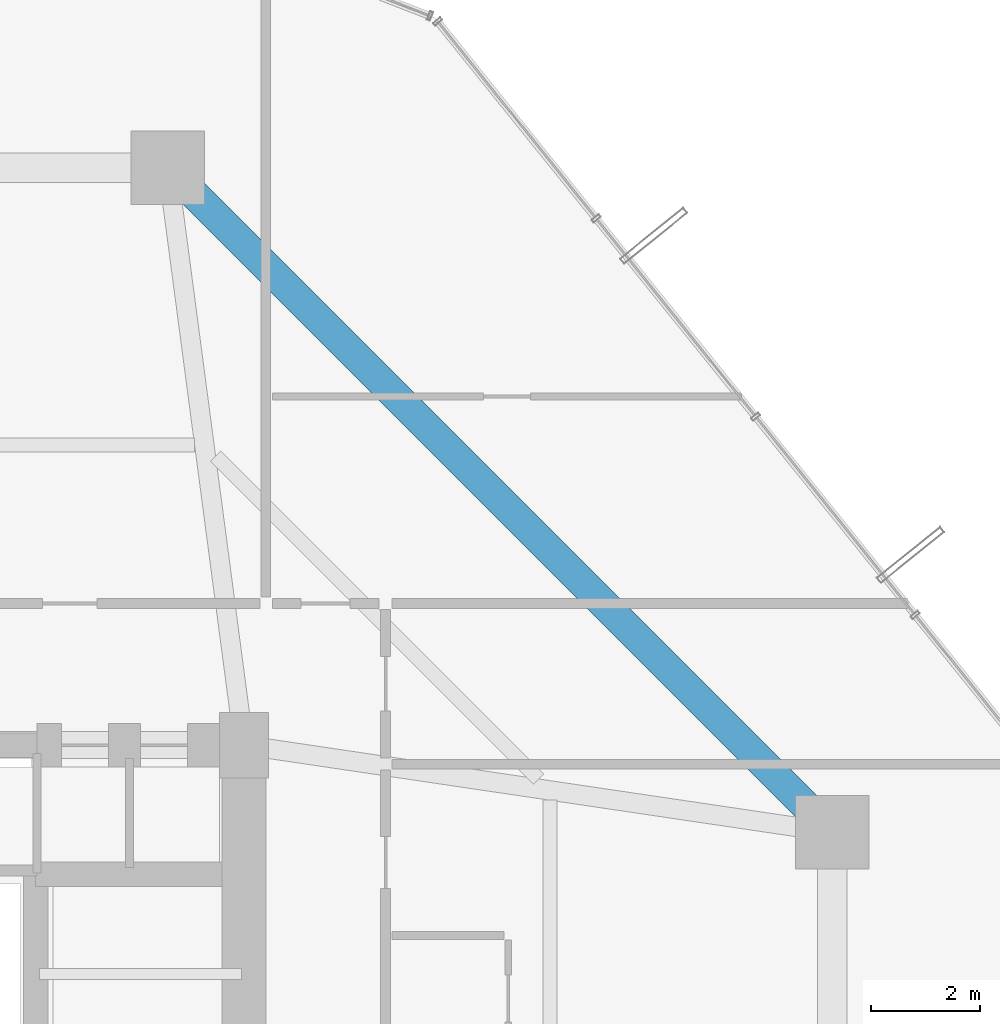
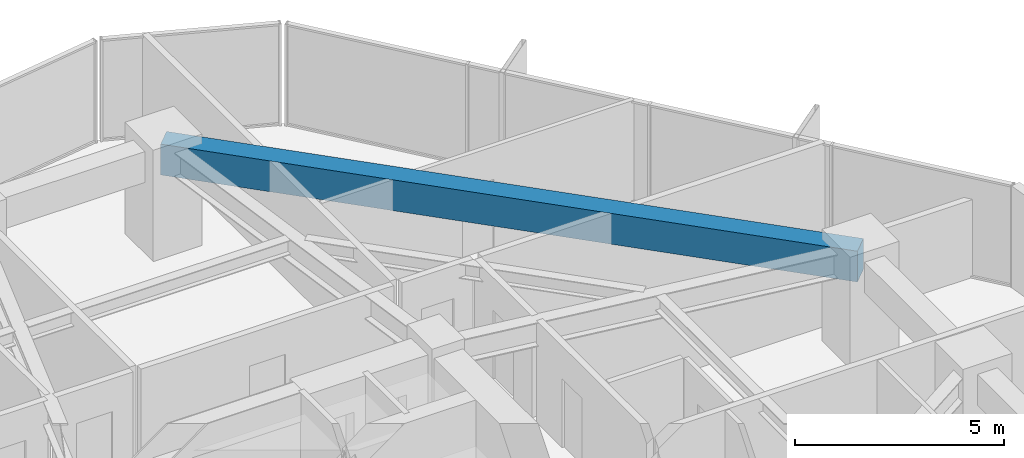
# One storey, part 28 of 37: 1 beam.
"""IFC4 building model written with IfcOpenShell, lengths in metres."""

from ifc_helpers import new_model, si_unit, direction, frame, origin, origin_2d, place, context, subcontext, project, spatial, rectangle, extrude, material, material_profile, profile_set, type_object, element, save


model = new_model("IFC4")

# Units and contexts
model_context = context("Model", 3, precision=1e-05, world=origin(), true_north=direction((0.0, 1.0)))
body_context = subcontext(model_context, "Body", "Model", "MODEL_VIEW")
ifc_project = project(units=[si_unit("LENGTHUNIT", "METRE"), si_unit("AREAUNIT", "SQUARE_METRE"), si_unit("VOLUMEUNIT", "CUBIC_METRE"), si_unit("PLANEANGLEUNIT", "RADIAN"), si_unit("MASSUNIT", "GRAM", prefix="KILO")], contexts=[model_context])

# Site, building, storey
site_placement = place(None, origin())
site = spatial("IfcSite", under=ifc_project, at=site_placement, CompositionType="ELEMENT")
building_placement = place(site_placement, origin())
building = spatial("IfcBuilding", under=site, at=building_placement, Name="Veraguas Prism Commons", CompositionType="ELEMENT")
storey_placement = place(building_placement, frame((0.0, 0.0, 53.300048828125)))
storey = spatial("IfcBuildingStorey", under=building, at=storey_placement, Name="L14", CompositionType="ELEMENT", Elevation=53.300048828125)

# Beam
ifc_material = material(Name="Concrete C50/60", Category="concrete")
ifc_material_profile = material_profile(ifc_material, rectangle(XDim=0.550048828125, YDim=0.89990234375, at=origin_2d()), Name="RC550X900")
ifc_profile_set = profile_set([ifc_material_profile], Name="Concrete C50/60")
beam_type = type_object("IfcBeamType", Name="Perimeter Spandrel Lower RC 550x900", PredefinedType="SPANDREL", material=ifc_profile_set)
beam_placement = place(storey_placement, frame((41.60009765625, 29.39990234375, 2.52001953125), z_axis=(-0.707106781187, 0.707106781187, 0.0), x_axis=(-0.707106781187, -0.707106781187, 0.0)))
element("IfcBeam", 1, at=beam_placement, inside=storey, type_object=beam_type, Name="Perimeter Spandrel Beam L14-SP03", PredefinedType="SPANDREL", context=body_context, shape_type="SweptSolid", body=[
    extrude(rectangle(XDim=0.550048828125, YDim=0.89990234375, at=origin_2d()), origin(), (0.0, 0.0, 1.0), 17.253662109375),
])

save(model, "model.ifc")
